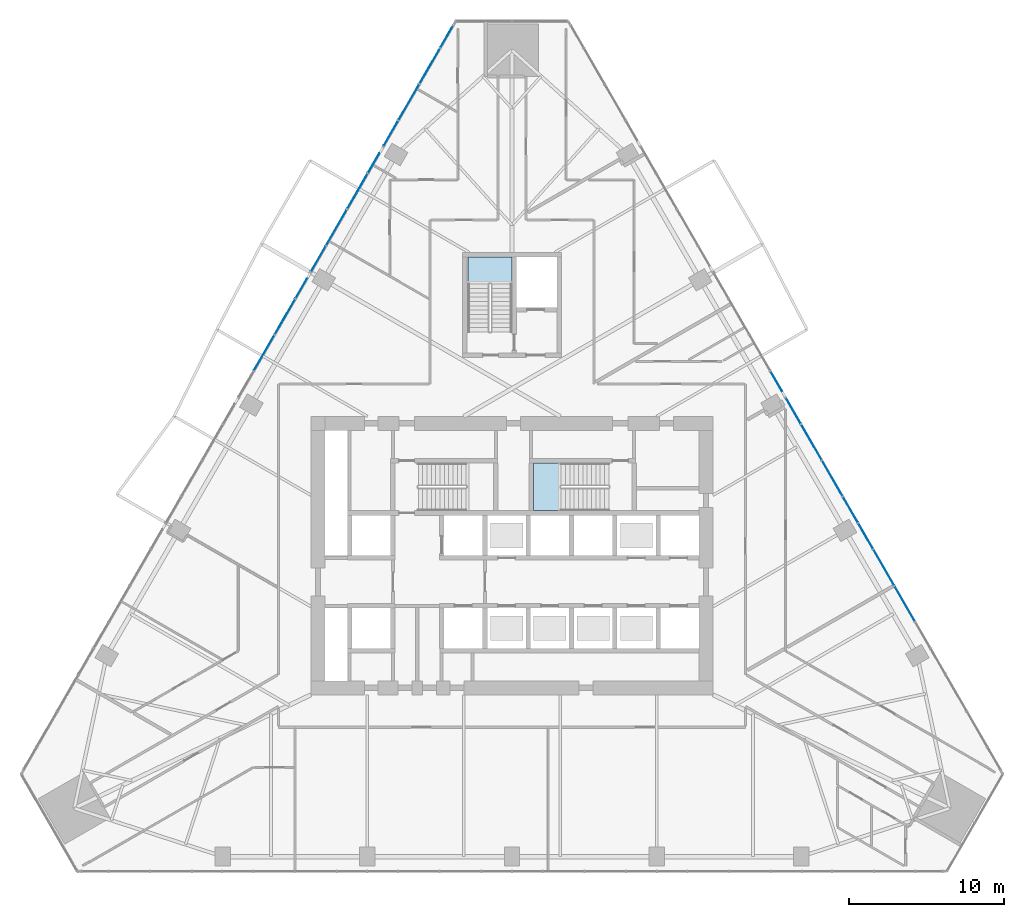
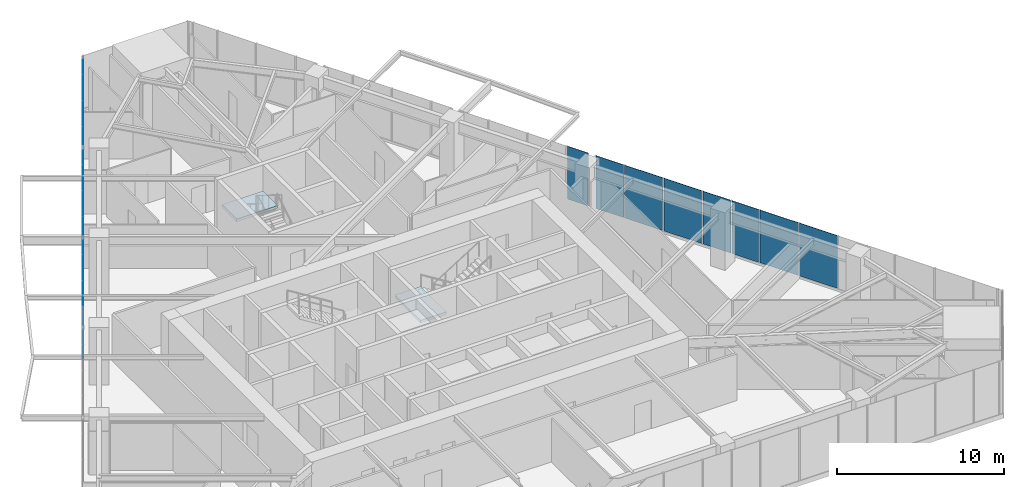
# One storey, part 14 of 22: 19 plates, 2 slabs, 4 elements without a shape of their own.
"""IFC4 building model written with IfcOpenShell, lengths in metres."""

from ifc_helpers import new_model, si_unit, direction, frame, origin, place, context, subcontext, project, spatial, polyline, outline, extrude, material, layer, layer_set, type_object, element, aggregate, save


model = new_model("IFC4")

# Units and contexts
model_context = context("Model", 3, precision=1e-05, world=origin(), true_north=direction((0.0, 1.0)))
body_context = subcontext(model_context, "Body", "Model", "MODEL_VIEW")
ifc_project = project(units=[si_unit("LENGTHUNIT", "METRE"), si_unit("AREAUNIT", "SQUARE_METRE"), si_unit("VOLUMEUNIT", "CUBIC_METRE"), si_unit("PLANEANGLEUNIT", "RADIAN"), si_unit("MASSUNIT", "GRAM", prefix="KILO")], contexts=[model_context])

# Site, building, storey
site_placement = place(None, origin())
site = spatial("IfcSite", under=ifc_project, at=site_placement, CompositionType="ELEMENT")
building_placement = place(site_placement, origin())
building = spatial("IfcBuilding", under=site, at=building_placement, Name="Firuza Gate Tower and Library", CompositionType="ELEMENT")
storey_placement = place(building_placement, frame((0.0, 0.0, 111.39990234375)))
storey = spatial("IfcBuildingStorey", under=building, at=storey_placement, Name="L25", CompositionType="ELEMENT", Elevation=111.39990234375)

# Curtain wall, plates
ifc_material_1 = material(Name="Aluminium 6063-T6", Category="aluminium")
ifc_layer_1 = layer(ifc_material_1, 0.14990234375)
ifc_layer_set_1 = layer_set([ifc_layer_1], Name="Unitised curtain wall, offices")
curtain_wall_type = type_object("IfcCurtainWallType", Name="Unitised curtain wall, offices", PredefinedType="NOTDEFINED", material=ifc_layer_set_1)
placement_1 = place(storey_placement, origin())
curtain_wall_1 = element("IfcCurtainWall", 1, at=placement_1, inside=storey, type_object=curtain_wall_type, Name="CW1 L25 E face", PredefinedType="NOTDEFINED")
ifc_material_2 = material(Name="Fritted glass", Category="glass")
ifc_layer_2 = layer(ifc_material_2, 0.030029296875)
ifc_layer_set_2 = layer_set([ifc_layer_2], Name="Fritted glass unit, offices")
plate_type_1 = type_object("IfcPlateType", Name="Fritted glass unit, offices", PredefinedType="CURTAIN_PANEL", material=ifc_layer_set_2)
plate_1_placement = place(storey_placement, frame((98.3544921875, 75.446533203125, 0.150146484375), z_axis=(0.866047332643, 0.499962016178, 0.0), x_axis=(-0.499962016178, 0.866047332643, 0.0)))
plate_1 = element("IfcPlate", 2, at=plate_1_placement, type_object=plate_type_1, Name="Glass unit", PredefinedType="CURTAIN_PANEL", context=body_context, shape_type="SweptSolid", body=[
    extrude(outline(polyline([(0.0, 0.0), (1.8819789070017592, 0.0), (1.8819789070017592, 3.849853515625), (0.0, 3.849853515625), (0.0, 0.0)])), origin(), (0.0, 0.0, -1.0), 0.030029296875),
])
plate_2_placement = place(storey_placement, frame((97.37353515625, 77.1455078125, 0.150146484375), z_axis=(0.866072836187, 0.499917835669, 0.0), x_axis=(-0.499917835669, 0.866072836187, 0.0)))
plate_2 = element("IfcPlate", 3, at=plate_2_placement, type_object=plate_type_1, Name="Glass unit", PredefinedType="CURTAIN_PANEL", context=body_context, shape_type="SweptSolid", body=[
    extrude(outline(polyline([(0.0, 0.0), (1.9109585565138352, 0.0), (1.9109585565138352, 3.849853515625001), (0.0, 3.849853515625001), (0.0, 0.0)])), origin(), (0.0, 0.0, -1.0), 0.030029296875),
])
plate_3_placement = place(storey_placement, frame((93.677490234375, 83.54736328125, 0.150146484375), z_axis=(0.866016220268, 0.500015905979, 0.0), x_axis=(-0.500015905979, 0.866016220268, 0.0)))
plate_3 = element("IfcPlate", 4, at=plate_3_placement, type_object=plate_type_1, Name="Glass unit", PredefinedType="CURTAIN_PANEL", context=body_context, shape_type="SweptSolid", body=[
    extrude(outline(polyline([(0.0, 0.0), (1.8964240460371324, 0.0), (1.8964240460371324, 3.849853515625), (0.0, 3.849853515625), (0.0, 0.0)])), origin(), (0.0, 0.0, -1.0), 0.030029296875),
])
plate_4_placement = place(storey_placement, frame((92.4658203125, 85.646240234375, 0.150146484375), z_axis=(0.865963964184, 0.500106401413, 0.0), x_axis=(-0.500106401413, 0.865963964184, 0.0)))
plate_4 = element("IfcPlate", 5, at=plate_4_placement, type_object=plate_type_1, Name="Glass unit", PredefinedType="CURTAIN_PANEL", context=body_context, shape_type="SweptSolid", body=[
    extrude(outline(polyline([(0.0, 0.0), (1.4493985951334327, 0.0), (1.4493985951334327, 3.849853515625001), (0.0, 3.849853515625001), (0.0, 0.0)])), origin(), (0.0, 0.0, -1.0), 0.030029296875),
])

curtain_wall_2 = element("IfcCurtainWall", 6, at=placement_1, inside=storey, type_object=curtain_wall_type, Name="CW1 L25 W face", PredefinedType="NOTDEFINED")
plate_5_placement = place(storey_placement, frame((71.158203125, 109.243408203125, 0.150146484375), z_axis=(-0.865983383575, 0.500072774076, 0.0), x_axis=(-0.500072774076, -0.865983383575, 0.0)))
plate_5 = element("IfcPlate", 7, at=plate_5_placement, type_object=plate_type_1, Name="Glass unit", PredefinedType="CURTAIN_PANEL", context=body_context, shape_type="SweptSolid", body=[
    extrude(outline(polyline([(0.0, 0.0), (1.6086525823386557, 0.0), (1.6086525823386557, 3.849853515625), (0.0, 3.849853515625), (0.0, 0.0)])), origin(), (0.0, 0.0, -1.0), 0.030029296875),
])
plate_6_placement = place(storey_placement, frame((67.61328125, 103.103515625, 0.150146484375), z_axis=(-0.866022320763, 0.500005339912, 0.0), x_axis=(-0.500005339912, -0.866022320763, 0.0)))
plate_6 = element("IfcPlate", 8, at=plate_6_placement, type_object=plate_type_1, Name="Glass unit", PredefinedType="CURTAIN_PANEL", context=body_context, shape_type="SweptSolid", body=[
    extrude(outline(polyline([(0.0, 0.0), (1.8676558350139967, 0.0), (1.8676558350139967, 3.849853515625001), (0.0, 3.849853515625001), (0.0, 0.0)])), origin(), (0.0, 0.0, -1.0), 0.030029296875),
])
plate_7_placement = place(storey_placement, frame((66.4013671875, 101.004638671875, 0.150146484375), z_axis=(-0.866079010947, 0.499907138174, 0.0), x_axis=(-0.499907138174, -0.866079010947, 0.0)))
plate_7 = element("IfcPlate", 9, at=plate_7_placement, type_object=plate_type_1, Name="Glass unit", PredefinedType="CURTAIN_PANEL", context=body_context, shape_type="SweptSolid", body=[
    extrude(outline(polyline([(0.0, 0.0), (1.4494879541965715, 0.0), (1.4494879541965715, 3.849853515625), (0.0, 3.849853515625), (0.0, 0.0)])), origin(), (0.0, 0.0, -1.0), 0.030029296875),
])
plate_8_placement = place(storey_placement, frame((62.93603515625, 95.00244140625, 0.150146484375), z_axis=(-0.866047332643, 0.499962016178, 0.0), x_axis=(-0.499962016178, -0.866047332643, 0.0)))
plate_8 = element("IfcPlate", 10, at=plate_8_placement, type_object=plate_type_1, Name="Glass unit", PredefinedType="CURTAIN_PANEL", context=body_context, shape_type="SweptSolid", body=[
    extrude(outline(polyline([(0.0, 0.0), (1.8819789070017592, 0.0), (1.8819789070017592, 3.849853515625), (0.0, 3.849853515625), (0.0, 0.0)])), origin(), (0.0, 0.0, -1.0), 0.030029296875),
])
plate_9_placement = place(storey_placement, frame((61.724365234375, 92.90380859375, 0.150146484375), z_axis=(-0.86600608357, 0.5000334621, 0.0), x_axis=(-0.5000334621, -0.86600608357, 0.0)))
plate_9 = element("IfcPlate", 11, at=plate_9_placement, type_object=plate_type_1, Name="Glass unit", PredefinedType="CURTAIN_PANEL", context=body_context, shape_type="SweptSolid", body=[
    extrude(outline(polyline([(0.0, 0.0), (1.4496100172587774, 0.0), (1.4496100172587774, 3.849853515625), (0.0, 3.849853515625), (0.0, 0.0)])), origin(), (0.0, 0.0, -1.0), 0.030029296875),
])

# Plate
ifc_material_3 = material(Name="Glazed ceramic tile")
ifc_layer_3 = layer(ifc_material_3, 0.030029296875)
ifc_layer_set_3 = layer_set([ifc_layer_3], Name="Opaque ceramic panel, offices")
plate_type_2 = type_object("IfcPlateType", Name="Opaque ceramic panel, offices", PredefinedType="CURTAIN_PANEL", material=ifc_layer_set_3)
plate_10_placement = place(storey_placement, frame((101.05517578125, 70.768798828125, 0.150146484375), z_axis=(0.866049489508, 0.499958279983, 0.0), x_axis=(-0.499958279983, 0.866049489508, 0.0)))
plate_10 = element("IfcPlate", 12, at=plate_10_placement, type_object=plate_type_2, Name="Opaque ceramic panel", PredefinedType="CURTAIN_PANEL", context=body_context, shape_type="SweptSolid", body=[
    extrude(outline(polyline([(0.0, 0.0), (2.598849660605576, 0.0), (2.598849660605576, 3.849853515625001), (0.0, 3.849853515625001), (0.0, 0.0)])), origin(), (0.0, 0.0, -1.0), 0.030029296875),
])

plate_11_placement = place(storey_placement, frame((99.7158203125, 73.0888671875, 0.150146484375), z_axis=(0.866005562249, 0.500034364973, 0.0), x_axis=(-0.500034364973, 0.866005562249, 0.0)))
plate_11 = element("IfcPlate", 13, at=plate_11_placement, type_object=plate_type_2, Name="Opaque ceramic panel", PredefinedType="CURTAIN_PANEL", context=body_context, shape_type="SweptSolid", body=[
    extrude(outline(polyline([(0.0, 0.0), (2.642396513230688, 0.0), (2.642396513230688, 3.849853515625001), (0.0, 3.849853515625001), (0.0, 0.0)])), origin(), (0.0, 0.0, -1.0), 0.030029296875),
])

plate_12_placement = place(storey_placement, frame((96.378173828125, 78.869873046875, 0.150146484375), z_axis=(0.86602690036, 0.499997407846, 0.0), x_axis=(-0.499997407846, 0.86602690036, 0.0)))
plate_12 = element("IfcPlate", 14, at=plate_12_placement, type_object=plate_type_2, Name="Opaque ceramic panel", PredefinedType="CURTAIN_PANEL", context=body_context, shape_type="SweptSolid", body=[
    extrude(outline(polyline([(0.0, 0.0), (2.6132947981273666, 0.0), (2.6132947981273666, 3.849853515625), (0.0, 3.849853515625), (0.0, 0.0)])), origin(), (0.0, 0.0, -1.0), 0.030029296875),
])

plate_13_placement = place(storey_placement, frame((95.031494140625, 81.202392578125, 0.150146484375), z_axis=(0.866004557827, 0.500036104519, 0.0), x_axis=(-0.500036104519, 0.866004557827, 0.0)))
plate_13 = element("IfcPlate", 15, at=plate_13_placement, type_object=plate_type_2, Name="Opaque ceramic panel", PredefinedType="CURTAIN_PANEL", context=body_context, shape_type="SweptSolid", body=[
    extrude(outline(polyline([(0.0, 0.0), (2.6277399409249216, 0.0), (2.6277399409249216, 3.849853515625), (0.0, 3.849853515625), (0.0, 0.0)])), origin(), (0.0, 0.0, -1.0), 0.030029296875),
])

aggregate(curtain_wall_1, [plate_10, plate_11, plate_1, plate_2, plate_12, plate_13, plate_3, plate_4])

plate_14_placement = place(storey_placement, frame((70.313720703125, 107.781005859375, 0.150146484375), z_axis=(-0.866031427484, 0.4999895665, 0.0), x_axis=(-0.4999895665, -0.866031427484, 0.0)))
plate_14 = element("IfcPlate", 16, at=plate_14_placement, type_object=plate_type_2, Name="Opaque ceramic panel", PredefinedType="CURTAIN_PANEL", context=body_context, shape_type="SweptSolid", body=[
    extrude(outline(polyline([(0.0, 0.0), (2.584526587564451, 0.0), (2.584526587564451, 3.849853515625), (0.0, 3.849853515625), (0.0, 0.0)])), origin(), (0.0, 0.0, -1.0), 0.030029296875),
])

plate_15_placement = place(storey_placement, frame((68.9814453125, 105.4736328125, 0.150146484375), z_axis=(-0.866023371876, 0.500003519352, 0.0), x_axis=(-0.500003519352, -0.866023371876, 0.0)))
plate_15 = element("IfcPlate", 17, at=plate_15_placement, type_object=plate_type_2, Name="Opaque ceramic panel", PredefinedType="CURTAIN_PANEL", context=body_context, shape_type="SweptSolid", body=[
    extrude(outline(polyline([(0.0, 0.0), (2.656719581385353, 0.0), (2.656719581385353, 3.849853515625), (0.0, 3.849853515625), (0.0, 0.0)])), origin(), (0.0, 0.0, -1.0), 0.030029296875),
])

plate_16_placement = place(storey_placement, frame((65.63671875, 99.68017578125, 0.150146484375), z_axis=(-0.866032297002, 0.499988060406, 0.0), x_axis=(-0.499988060406, -0.866032297002, 0.0)))
plate_16 = element("IfcPlate", 18, at=plate_16_placement, type_object=plate_type_2, Name="Opaque ceramic panel", PredefinedType="CURTAIN_PANEL", context=body_context, shape_type="SweptSolid", body=[
    extrude(outline(polyline([(0.0, 0.0), (2.5991831601328843, 0.0), (2.5991831601328843, 3.849853515625), (0.0, 3.849853515625), (0.0, 0.0)])), origin(), (0.0, 0.0, -1.0), 0.030029296875),
])

plate_17_placement = place(storey_placement, frame((64.297119140625, 97.360107421875, 0.150146484375), z_axis=(-0.866045570776, 0.499965068118, 0.0), x_axis=(-0.499965068118, -0.866045570776, 0.0)))
plate_17 = element("IfcPlate", 19, at=plate_17_placement, type_object=plate_type_2, Name="Opaque ceramic panel", PredefinedType="CURTAIN_PANEL", context=body_context, shape_type="SweptSolid", body=[
    extrude(outline(polyline([(0.0, 0.0), (2.642274442987196, 0.0), (2.642274442987196, 3.849853515625), (0.0, 3.849853515625), (0.0, 0.0)])), origin(), (0.0, 0.0, -1.0), 0.030029296875),
])

plate_18_placement = place(storey_placement, frame((60.959716796875, 91.5791015625, 0.150146484375), z_axis=(-0.865986446411, 0.50006747008, 0.0), x_axis=(-0.50006747008, -0.865986446411, 0.0)))
plate_18 = element("IfcPlate", 20, at=plate_18_placement, type_object=plate_type_2, Name="Opaque ceramic panel", PredefinedType="CURTAIN_PANEL", context=body_context, shape_type="SweptSolid", body=[
    extrude(outline(polyline([(0.0, 0.0), (2.6134168763597354, 0.0), (2.6134168763597354, 3.849853515625001), (0.0, 3.849853515625001), (0.0, 0.0)])), origin(), (0.0, 0.0, -1.0), 0.030029296875),
])

plate_19_placement = place(storey_placement, frame((59.61279296875, 89.24658203125, 0.150146484375), z_axis=(-0.866068011996, 0.49992619315, 0.0), x_axis=(-0.49992619315, -0.866068011996, 0.0)))
plate_19 = element("IfcPlate", 21, at=plate_19_placement, type_object=plate_type_2, Name="Opaque ceramic panel", PredefinedType="CURTAIN_PANEL", context=body_context, shape_type="SweptSolid", body=[
    extrude(outline(polyline([(0.0, 0.0), (2.627829309854988, 0.0), (2.627829309854988, 3.849853515625), (0.0, 3.849853515625), (0.0, 0.0)])), origin(), (0.0, 0.0, -1.0), 0.030029296875),
])

aggregate(curtain_wall_2, [plate_5, plate_14, plate_15, plate_6, plate_7, plate_16, plate_17, plate_8, plate_9, plate_18, plate_19])

# Stair, slab
ifc_material_4 = material(Name="Concrete C35/45", Category="concrete")
stair_type_1 = type_object("IfcStairType", Name="Exit stair ST5", PredefinedType="HALF_TURN_STAIR", material=ifc_material_4)
stair_1 = element("IfcStair", 22, at=placement_1, inside=storey, type_object=stair_type_1, Name="L25 Stair ST2", PredefinedType="HALF_TURN_STAIR")
ifc_material_5 = material(Name="Concrete C35/45", Category="concrete")
ifc_layer_4 = layer(ifc_material_5, 0.199951171875)
ifc_layer_set_4 = layer_set([ifc_layer_4], Name="Stair landing 200")
slab_type = type_object("IfcSlabType", Name="Stair landing 200", PredefinedType="LANDING", material=ifc_layer_set_4)
placement_2 = place(storey_placement, frame((0.0, 0.0, 1.900146484375)))
slab_1 = element("IfcSlab", 23, at=placement_2, type_object=slab_type, Name="ST2 landing 1", PredefinedType="LANDING", context=body_context, shape_type="SweptSolid", body=[
    extrude(outline(polyline([(78.179931640625, 80.97998046875), (76.389892578125, 80.97998046875), (76.389892578125, 77.89990234375), (78.179931640625, 77.89990234375), (78.179931640625, 80.97998046875)])), origin(), (0.0, 0.0, 1.0), 0.199951171875),
])
aggregate(stair_1, [slab_1])

ifc_material_6 = material(Name="Concrete C35/45", Category="concrete")
stair_type_2 = type_object("IfcStairType", Name="Exit stair ST14", PredefinedType="HALF_TURN_STAIR", material=ifc_material_6)
stair_2 = element("IfcStair", 24, at=placement_1, inside=storey, type_object=stair_type_2, Name="L25 Stair ST3", PredefinedType="HALF_TURN_STAIR")
slab_2 = element("IfcSlab", 25, at=placement_2, type_object=slab_type, Name="ST3 landing 1", PredefinedType="LANDING", context=body_context, shape_type="SweptSolid", body=[
    extrude(outline(polyline([(75.0, 92.550048828125), (75.0, 94.300048828125), (72.159912109375, 94.300048828125), (72.159912109375, 92.550048828125), (75.0, 92.550048828125)])), origin(), (0.0, 0.0, 1.0), 0.199951171875),
])
aggregate(stair_2, [slab_2])

save(model, "model.ifc")
